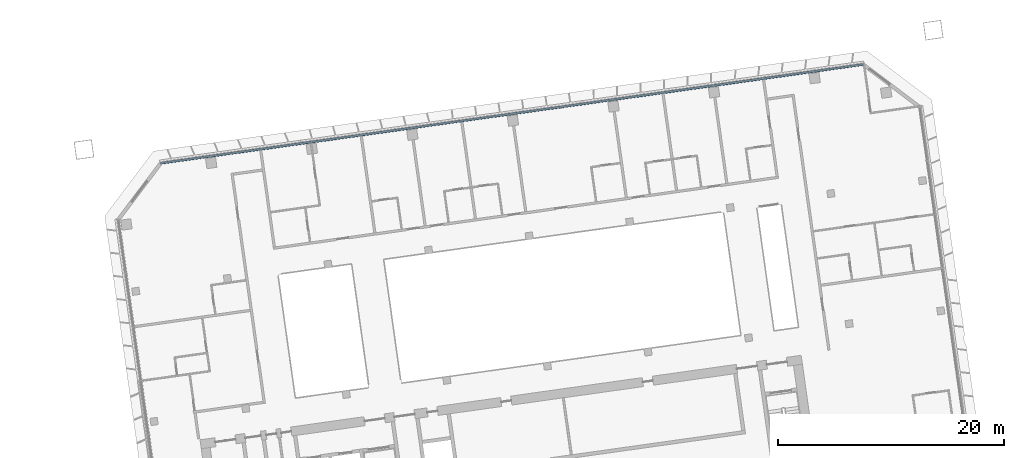
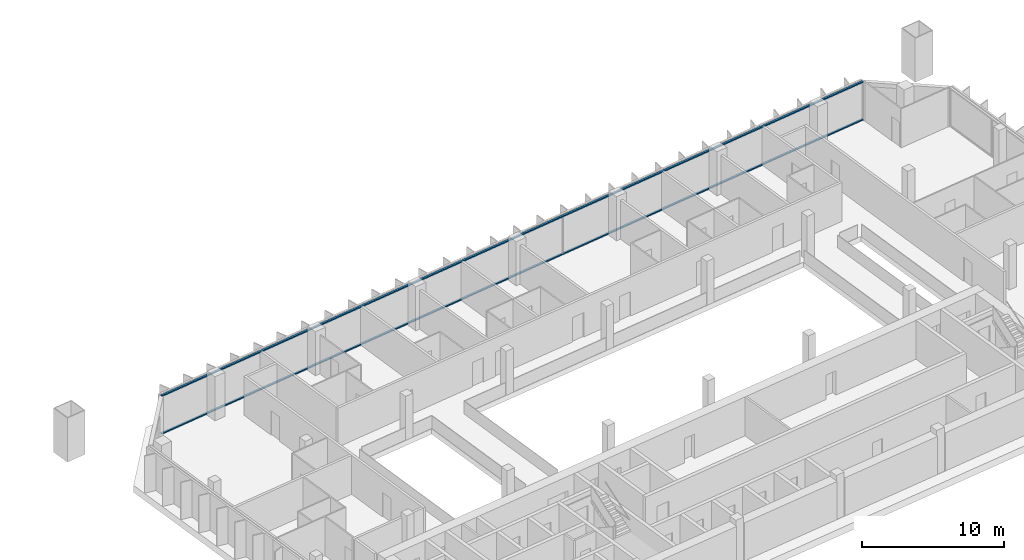
# One storey, part 9 of 24: 2 members, 1 element without a shape of its own.
"""IFC4 building model written with IfcOpenShell, lengths in metres."""

from ifc_helpers import new_model, si_unit, direction, frame, origin, origin_2d, place, context, subcontext, project, spatial, rectangle, extrude, material, material_profile, profile_set, type_object, element, aggregate, save


model = new_model("IFC4")

# Units and contexts
model_context = context("Model", 3, precision=1e-05, world=origin(), true_north=direction((0.0, 1.0)))
body_context = subcontext(model_context, "Body", "Model", "MODEL_VIEW")
ifc_project = project(units=[si_unit("LENGTHUNIT", "METRE"), si_unit("AREAUNIT", "SQUARE_METRE"), si_unit("VOLUMEUNIT", "CUBIC_METRE"), si_unit("PLANEANGLEUNIT", "RADIAN"), si_unit("MASSUNIT", "GRAM", prefix="KILO")], contexts=[model_context])

# Site, building, storey
site_placement = place(None, origin())
site = spatial("IfcSite", under=ifc_project, at=site_placement, CompositionType="ELEMENT")
building_placement = place(site_placement, origin())
building = spatial("IfcBuilding", under=site, at=building_placement, Name="Mirante Cascada Hotel Towers", CompositionType="ELEMENT")
storey_placement = place(building_placement, frame((0.0, 0.0, 132.9)))
storey = spatial("IfcBuildingStorey", under=building, at=storey_placement, Name="L30", CompositionType="ELEMENT", Elevation=132.9)

# Curtain wall, members
ifc_material_1 = material(Name="Aluminium mullion and transom frame with clear laminated glass", Category="aluminium")
curtain_wall_type = type_object("IfcCurtainWallType", Name="Ribbon curtain wall ECW1", PredefinedType="NOTDEFINED", material=ifc_material_1)
curtain_wall_placement = place(storey_placement, origin())
curtain_wall = element("IfcCurtainWall", 1, at=curtain_wall_placement, inside=storey, type_object=curtain_wall_type, Name="Front ribbon wall T2 L30", PredefinedType="NOTDEFINED")
ifc_material_2 = material(Name="Anodised aluminium extrusion", Category="aluminium")
ifc_material_profile = material_profile(ifc_material_2, rectangle(XDim=0.16, YDim=0.1, at=origin_2d()), Name="ECW1 TRANSOM 100x160")
ifc_profile_set = profile_set([ifc_material_profile], Name="Anodised aluminium extrusion")
member_type = type_object("IfcMemberType", Name="ECW1 transom 100x160", PredefinedType="USERDEFINED", material=ifc_profile_set)
member_1_placement = place(storey_placement, frame((94.1582, 26.0521, 0.05), z_axis=(-0.9902681, -0.1391728, 0.0), x_axis=(0.1391728, -0.9902681, 0.0)))
member_1 = element("IfcMember", 2, at=member_1_placement, type_object=member_type, Name="ECW1 sill transom", ObjectType="TRANSOM", PredefinedType="USERDEFINED", context=body_context, shape_type="SweptSolid", body=[
    extrude(rectangle(XDim=0.16, YDim=0.1, at=origin_2d()), origin(), (0.0, 0.0, 1.0), 62.8758),
])
member_2_placement = place(storey_placement, frame((94.1582, 26.0521, 3.3), z_axis=(-0.9902681, -0.1391728, 0.0), x_axis=(0.1391728, -0.9902681, 0.0)))
member_2 = element("IfcMember", 3, at=member_2_placement, type_object=member_type, Name="ECW1 head transom", ObjectType="TRANSOM", PredefinedType="USERDEFINED", context=body_context, shape_type="SweptSolid", body=[
    extrude(rectangle(XDim=0.16, YDim=0.1, at=origin_2d()), origin(), (0.0, 0.0, 1.0), 62.8758),
])
aggregate(curtain_wall, [member_1, member_2])

save(model, "model.ifc")
